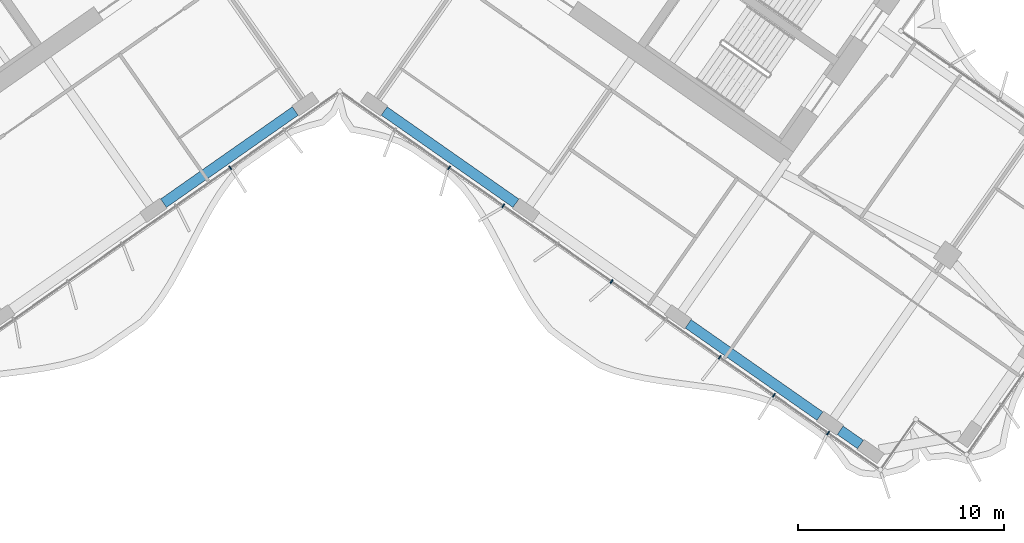
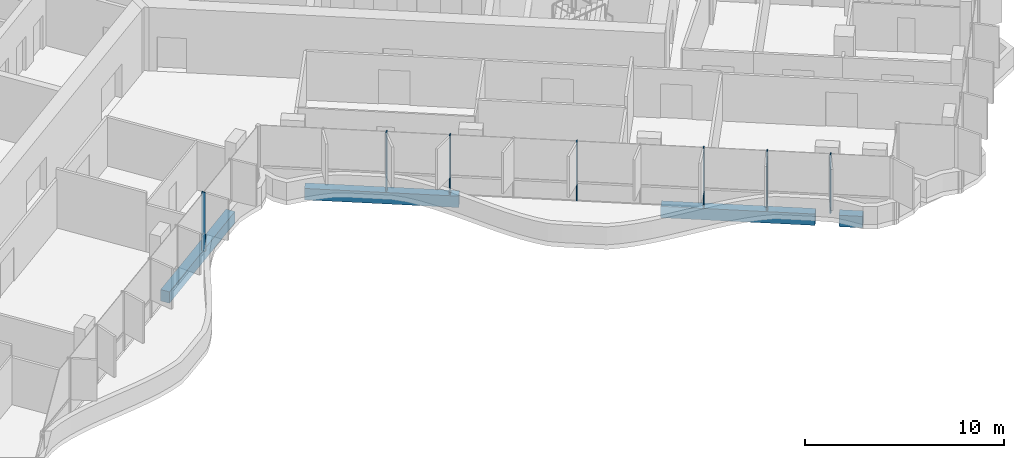
# One storey, part 5 of 23: 7 members, 4 beams, 1 element without a shape of its own.
"""IFC4 building model written with IfcOpenShell, lengths in metres."""

from ifc_helpers import new_model, si_unit, direction, frame, origin, origin_2d, place, context, subcontext, project, spatial, rectangle, extrude, material, material_profile, profile_set, type_object, element, aggregate, save


model = new_model("IFC4")

# Units and contexts
model_context = context("Model", 3, precision=1e-05, world=origin(), true_north=direction((0.0, 1.0)))
body_context = subcontext(model_context, "Body", "Model", "MODEL_VIEW")
ifc_project = project(units=[si_unit("LENGTHUNIT", "METRE"), si_unit("AREAUNIT", "SQUARE_METRE"), si_unit("VOLUMEUNIT", "CUBIC_METRE"), si_unit("PLANEANGLEUNIT", "RADIAN"), si_unit("MASSUNIT", "GRAM", prefix="KILO")], contexts=[model_context])

# Site, building, storey
site_placement = place(None, origin())
site = spatial("IfcSite", under=ifc_project, at=site_placement, CompositionType="ELEMENT")
building_placement = place(site_placement, origin())
building = spatial("IfcBuilding", under=site, at=building_placement, Name="Tel Ilan Convention Tower", CompositionType="ELEMENT")
storey_placement = place(building_placement, frame((0.0, 0.0, 178.800048828125)))
storey = spatial("IfcBuildingStorey", under=building, at=storey_placement, Name="L41", CompositionType="ELEMENT", Elevation=178.800048828125)

# Beams
ifc_material_1 = material(Name="Concrete C40/50", Category="concrete")
ifc_material_profile_1 = material_profile(ifc_material_1, rectangle(XDim=0.5, YDim=0.699951171875, at=origin_2d()), Name="RC 500x700")
ifc_profile_set_1 = profile_set([ifc_material_profile_1], Name="Concrete C40/50")
beam_type = type_object("IfcBeamType", Name="Beam RC 500x700 Concrete C40/50", PredefinedType="BEAM", material=ifc_profile_set_1)
for number, where, z_axis, x_axis, name in (
    (1, (-2.15673828125, -13.656982421875, -0.630126953125), (-0.819153977895, -0.573573674866, 0.0), (0.573573674866, -0.819153977895, 0.0), "L41 beam W-W-F1-W-F2"),
    (2, (2.15673828125, -13.656982421875, -0.630126953125), (0.819153977895, -0.573573674866, 0.0), (0.573573674866, 0.819153977895, 0.0), "L41 beam E-E-F1-E-F2"),
    (3, (16.901611328125, -23.981201171875, -0.630126953125), (0.819153977895, -0.573573674866, 0.0), (0.573573674866, 0.819153977895, 0.0), "L41 beam E-E-F3-E-F4"),
):
    element("IfcBeam", number, at=place(storey_placement, frame(where, z_axis=z_axis, x_axis=x_axis)), inside=storey, type_object=beam_type, Name=name, PredefinedType="BEAM", context=body_context, shape_type="SweptSolid", body=[
        extrude(rectangle(XDim=0.5, YDim=0.699951171875, at=origin_2d()), origin(), (0.0, 0.0, 1.0), 7.800048828125),
    ])
beam_placement = place(storey_placement, frame((24.27392578125, -29.1435546875, -0.630126953125), z_axis=(0.819155442668, -0.573571582932, 0.0), x_axis=(0.573571582932, 0.819155442668, 0.0)))
element("IfcBeam", 4, at=beam_placement, inside=storey, type_object=beam_type, Name="L41 beam E-E-F4-E-FC", PredefinedType="BEAM", context=body_context, shape_type="SweptSolid", body=[
    extrude(rectangle(XDim=0.5, YDim=0.699951171875, at=origin_2d()), origin(), (0.0, 0.0, 1.0), 1.199951171875),
])

# Curtain wall, members
ifc_material_2 = material(Name="Aluminium, bronze anodised", Category="aluminium")
curtain_wall_type = type_object("IfcCurtainWallType", Name="CW4 STICK CURTAIN WALL, OFFICE TINTED GLASS", PredefinedType="NOTDEFINED", material=ifc_material_2)
curtain_wall_placement = place(storey_placement, origin())
curtain_wall = element("IfcCurtainWall", 5, at=curtain_wall_placement, inside=storey, type_object=curtain_wall_type, Name="Curtain wall CW4-31.02", PredefinedType="NOTDEFINED")
ifc_material_3 = material(Name="Aluminium, bronze anodised", Category="aluminium")
ifc_material_profile_2 = material_profile(ifc_material_3, rectangle(XDim=0.06005859375, YDim=0.199951171875, at=origin_2d()), Name="CW MULLION 60x200")
ifc_profile_set_2 = profile_set([ifc_material_profile_2], Name="Aluminium, bronze anodised")
member_type = type_object("IfcMemberType", Name="CW MULLION 60x200", PredefinedType="MULLION", material=ifc_profile_set_2)
member_1_placement = place(storey_placement, frame((-5.307861328125, -16.41259765625, 0.0), z_axis=(0.0, 0.0, 1.0), x_axis=(0.819152044289, 0.573576436351, 0.0)))
member_1 = element("IfcMember", 6, at=member_1_placement, type_object=member_type, Name="Mullion", PredefinedType="MULLION", context=body_context, shape_type="SweptSolid", body=[
    extrude(rectangle(XDim=0.06005859375, YDim=0.199951171875, at=origin_2d()), origin(), (0.0, 0.0, 1.0), 3.619873046875),
])
member_2_placement = place(storey_placement, frame((5.307861328125, -16.41259765625, 0.0), z_axis=(0.0, 0.0, 1.0), x_axis=(0.819152044289, -0.573576436351, 0.0)))
member_2 = element("IfcMember", 7, at=member_2_placement, type_object=member_type, Name="Mullion", PredefinedType="MULLION", context=body_context, shape_type="SweptSolid", body=[
    extrude(rectangle(XDim=0.06005859375, YDim=0.199951171875, at=origin_2d()), origin(), (0.0, 0.0, 1.0), 3.619873046875),
])
member_3_placement = place(storey_placement, frame((7.932861328125, -18.250732421875, 0.0), z_axis=(0.0, 0.0, 1.0), x_axis=(0.819152044289, -0.573576436351, 0.0)))
member_3 = element("IfcMember", 8, at=member_3_placement, type_object=member_type, Name="Mullion", PredefinedType="MULLION", context=body_context, shape_type="SweptSolid", body=[
    extrude(rectangle(XDim=0.06005859375, YDim=0.199951171875, at=origin_2d()), origin(), (0.0, 0.0, 1.0), 3.619873046875),
])
member_4_placement = place(storey_placement, frame((13.183349609375, -21.92724609375, 0.0), z_axis=(0.0, 0.0, 1.0), x_axis=(0.819152044289, -0.573576436351, 0.0)))
member_4 = element("IfcMember", 9, at=member_4_placement, type_object=member_type, Name="Mullion", PredefinedType="MULLION", context=body_context, shape_type="SweptSolid", body=[
    extrude(rectangle(XDim=0.06005859375, YDim=0.199951171875, at=origin_2d()), origin(), (0.0, 0.0, 1.0), 3.619873046875),
])
member_5_placement = place(storey_placement, frame((18.433837890625, -25.603515625, 0.0), z_axis=(0.0, 0.0, 1.0), x_axis=(0.819152044289, -0.573576436351, 0.0)))
member_5 = element("IfcMember", 10, at=member_5_placement, type_object=member_type, Name="Mullion", PredefinedType="MULLION", context=body_context, shape_type="SweptSolid", body=[
    extrude(rectangle(XDim=0.06005859375, YDim=0.199951171875, at=origin_2d()), origin(), (0.0, 0.0, 1.0), 3.619873046875),
])
member_6_placement = place(storey_placement, frame((21.05908203125, -27.441650390625, 0.0), z_axis=(0.0, 0.0, 1.0), x_axis=(0.819152044289, -0.573576436351, 0.0)))
member_6 = element("IfcMember", 11, at=member_6_placement, type_object=member_type, Name="Mullion", PredefinedType="MULLION", context=body_context, shape_type="SweptSolid", body=[
    extrude(rectangle(XDim=0.06005859375, YDim=0.199951171875, at=origin_2d()), origin(), (0.0, 0.0, 1.0), 3.619873046875),
])
member_7_placement = place(storey_placement, frame((23.68408203125, -29.27978515625, 0.0), z_axis=(0.0, 0.0, 1.0), x_axis=(0.819152044289, -0.573576436351, 0.0)))
member_7 = element("IfcMember", 12, at=member_7_placement, type_object=member_type, Name="Mullion", PredefinedType="MULLION", context=body_context, shape_type="SweptSolid", body=[
    extrude(rectangle(XDim=0.06005859375, YDim=0.199951171875, at=origin_2d()), origin(), (0.0, 0.0, 1.0), 3.619873046875),
])
aggregate(curtain_wall, [member_1, member_2, member_3, member_4, member_5, member_6, member_7])

save(model, "model.ifc")
